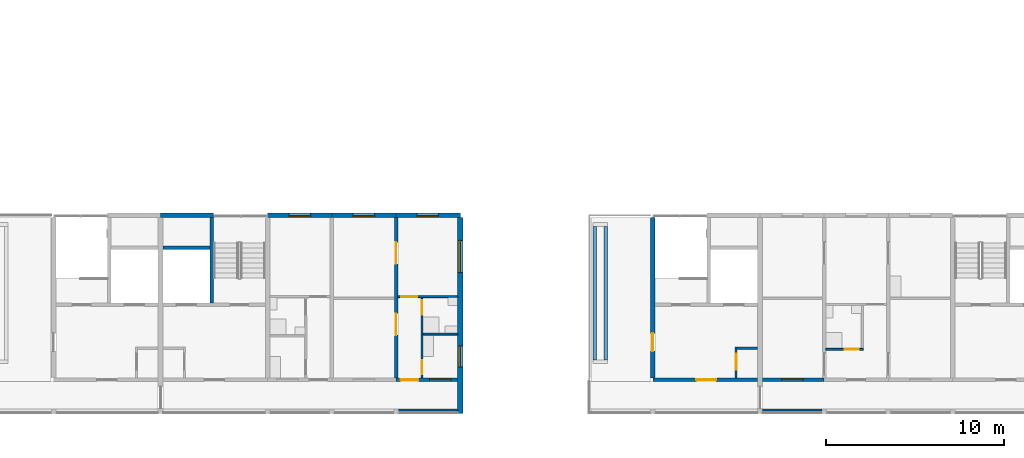
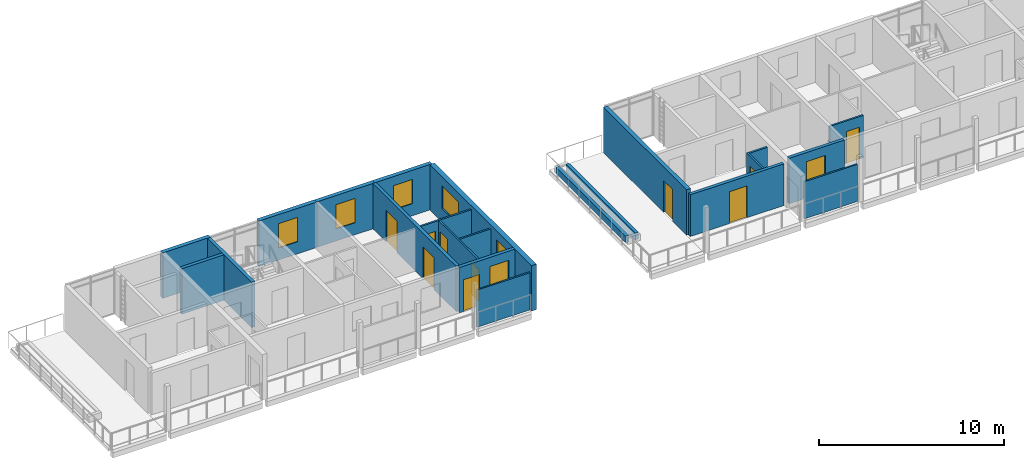
# One storey, part 28 of 55: 22 walls, 10 doors, 7 windows, 17 openings.
"""IFC4 building model written with IfcOpenShell, lengths in metres."""

from ifc_helpers import new_model, si_unit, direction, frame, frame_2d, origin, place, context, subcontext, project, spatial, rectangle, extrude, material, layer, layer_set, type_object, element, fill, save


model = new_model("IFC4")

# Units and contexts
model_context = context("Model", 3, precision=1e-05, world=origin(), true_north=direction((0.0, 1.0)))
body_context = subcontext(model_context, "Body", "Model", "MODEL_VIEW")
ifc_project = project(units=[si_unit("LENGTHUNIT", "METRE"), si_unit("AREAUNIT", "SQUARE_METRE"), si_unit("VOLUMEUNIT", "CUBIC_METRE"), si_unit("PLANEANGLEUNIT", "RADIAN"), si_unit("MASSUNIT", "GRAM", prefix="KILO")], contexts=[model_context])

# Site, building, storey
site_placement = place(None, origin())
site = spatial("IfcSite", under=ifc_project, at=site_placement, CompositionType="ELEMENT")
building_placement = place(site_placement, origin())
building = spatial("IfcBuilding", under=site, at=building_placement, Name="Ridgestep Commons", CompositionType="ELEMENT")
storey_placement = place(building_placement, frame((0.0, 0.0, 36.0)))
storey = spatial("IfcBuildingStorey", under=building, at=storey_placement, Name="L12", CompositionType="ELEMENT", Elevation=36.0)

# Wall, opening, door
ifc_material_1 = material(Name="Concrete C30/37", Category="concrete")
ifc_layer_1 = layer(ifc_material_1, 0.199951171875)
ifc_layer_set_1 = layer_set([ifc_layer_1], Name="Core south wall 200")
wall_type_1 = type_object("IfcWallType", Name="Core south wall 200", PredefinedType="SHEAR", material=ifc_layer_set_1)
wall_1_placement = place(storey_placement, frame((73.199951171875, 13.64990234375, 0.0), z_axis=(0.0, 0.0, 1.0), x_axis=(1.0, 0.0, 0.0)))
wall_1 = element("IfcWall", 1, at=wall_1_placement, inside=storey, type_object=wall_type_1, Name="Core south wall A4C L12", PredefinedType="SHEAR", context=body_context, shape_type="SweptSolid", body=[
    extrude(rectangle(XDim=5.85009765625, YDim=0.199951171875, at=frame_2d((2.925048828125, 0.0))), origin(), (0.0, 0.0, 1.0), 2.75),
])
opening_1_placement = place(wall_1_placement, frame((2.4375, 0.0, 0.0)))
opening_1 = element("IfcOpeningElement", 2, at=opening_1_placement, cuts=wall_1, Name="Opening A4C/12/1", PredefinedType="OPENING", context=body_context, shape_type="SweptSolid", body=[
    extrude(rectangle(XDim=1.10009765625, YDim=2.10009765625, at=frame_2d((0.550048828125, 1.050048828125))), frame((0.0, 0.10986328125, 0.0), z_axis=(0.0, -1.0, 0.0), x_axis=(1.0, 0.0, 0.0)), (0.0, 0.0, 1.0), 0.219970703125),
])
ifc_material_2 = material(Name="Steel fire door", Category="steel")
door_type_1 = type_object("IfcDoorType", Name="Lobby door 1100 x 2100 FD60", OperationType="NOTDEFINED", PredefinedType="DOOR", material=ifc_material_2)
door_1_placement = place(opening_1_placement, origin())
door_1 = element("IfcDoor", 3, at=door_1_placement, inside=storey, type_object=door_type_1, Name="Lobby door A4C/12/1", OperationType="SINGLE_SWING_LEFT", OverallHeight=2.10009765625, OverallWidth=1.10009765625, PredefinedType="DOOR", context=body_context, shape_type="SweptSolid", body=[
    extrude(rectangle(XDim=1.10009765625, YDim=2.10009765625, at=frame_2d((0.550048828125, 1.050048828125))), frame((0.0, 0.02490234375, 0.0), z_axis=(0.0, -1.0, 0.0), x_axis=(1.0, 0.0, 0.0)), (0.0, 0.0, 1.0), 0.050048828125),
])
fill(opening_1, door_1)

ifc_material_3 = material(Name="Concrete C30/37", Category="concrete")
ifc_layer_2 = layer(ifc_material_3, 0.1201171875)
ifc_layer_set_2 = layer_set([ifc_layer_2], Name="Core wall 120")
wall_type_2 = type_object("IfcWallType", Name="Core wall 120", PredefinedType="SHEAR", material=ifc_layer_set_2)
wall_2_placement = place(storey_placement, frame((77.860107421875, 13.75, 0.0), z_axis=(0.0, 0.0, 1.0), x_axis=(0.0, 1.0, 0.0)))
wall_2 = element("IfcWall", 4, at=wall_2_placement, inside=storey, type_object=wall_type_2, Name="Core riser w wall A4C L12", PredefinedType="SHEAR", context=body_context, shape_type="SweptSolid", body=[
    extrude(rectangle(XDim=1.719970703125, YDim=0.1201171875, at=frame_2d((0.85986328125, 0.0))), origin(), (0.0, 0.0, 1.0), 2.75),
])
opening_2_placement = place(wall_2_placement, frame((0.449951171875, 0.0, 0.0)))
opening_2 = element("IfcOpeningElement", 5, at=opening_2_placement, cuts=wall_2, Name="Opening A4C/12/4", PredefinedType="OPENING", context=body_context, shape_type="SweptSolid", body=[
    extrude(rectangle(XDim=0.89990234375, YDim=2.10009765625, at=frame_2d((0.449951171875, 1.050048828125))), frame((0.0, 0.070068359375, 0.0), z_axis=(0.0, -1.0, 0.0), x_axis=(1.0, 0.0, 0.0)), (0.0, 0.0, 1.0), 0.14013671875),
])
ifc_material_4 = material(Name="Steel fire door", Category="steel")
door_type_2 = type_object("IfcDoorType", Name="Riser door 900 x 2100 FD60", OperationType="NOTDEFINED", PredefinedType="DOOR", material=ifc_material_4)
door_2_placement = place(opening_2_placement, origin())
door_2 = element("IfcDoor", 6, at=door_2_placement, inside=storey, type_object=door_type_2, Name="Riser door A4C/12/4", OperationType="SINGLE_SWING_LEFT", OverallHeight=2.10009765625, OverallWidth=0.89990234375, PredefinedType="DOOR", context=body_context, shape_type="SweptSolid", body=[
    extrude(rectangle(XDim=0.89990234375, YDim=2.10009765625, at=frame_2d((0.449951171875, 1.050048828125))), frame((0.0, 0.02490234375, 0.0), z_axis=(0.0, -1.0, 0.0), x_axis=(1.0, 0.0, 0.0)), (0.0, 0.0, 1.0), 0.050048828125),
])
fill(opening_2, door_2)

# Walls
wall_3_placement = place(storey_placement, frame((77.919921875, 15.409912109375, 0.0), z_axis=(0.0, 0.0, 1.0), x_axis=(1.0, 0.0, 0.0)))
element("IfcWall", 7, at=wall_3_placement, inside=storey, type_object=wall_type_2, Name="Core riser n wall A4C L12", PredefinedType="SHEAR", context=body_context, shape_type="SweptSolid", body=[
    extrude(rectangle(XDim=1.130126953125, YDim=0.1201171875, at=frame_2d((0.56494140625, 0.0))), origin(), (0.0, 0.0, 1.0), 2.75),
])
ifc_material_5 = material(Name="Concrete C30/37", Category="concrete")
ifc_layer_3 = layer(ifc_material_5, 0.199951171875)
ifc_layer_set_3 = layer_set([ifc_layer_3], Name="Core wall 200")
wall_type_3 = type_object("IfcWallType", Name="Core wall 200", PredefinedType="SHEAR", material=ifc_layer_set_3)
wall_4_placement = place(storey_placement, frame((48.47509765625, 17.949951171875, 0.0), z_axis=(0.0, 0.0, 1.0), x_axis=(0.0, 1.0, 0.0)))
element("IfcWall", 8, at=wall_4_placement, inside=storey, type_object=wall_type_3, Name="Core stair wall A3C L12", PredefinedType="SHEAR", context=body_context, shape_type="SweptSolid", body=[
    extrude(rectangle(XDim=4.800048828125, YDim=0.199951171875, at=frame_2d((2.39990234375, 0.0))), origin(), (0.0, 0.0, 1.0), 3.0),
])
wall_5_placement = place(storey_placement, frame((45.75, 21.050048828125, 0.0), z_axis=(0.0, 0.0, 1.0), x_axis=(1.0, 0.0, 0.0)))
element("IfcWall", 9, at=wall_5_placement, inside=storey, type_object=wall_type_3, Name="Core duct wall A3C L12", PredefinedType="SHEAR", context=body_context, shape_type="SweptSolid", body=[
    extrude(rectangle(XDim=2.625, YDim=0.199951171875, at=frame_2d((1.3125, 0.0))), origin(), (0.0, 0.0, 1.0), 3.0),
])

# Wall, openings, doors
ifc_material_6 = material(Name="Precast concrete C40/50", Category="concrete")
ifc_layer_4 = layer(ifc_material_6, 0.199951171875)
ifc_layer_set_4 = layer_set([ifc_layer_4], Name="Cross wall 200")
wall_type_4 = type_object("IfcWallType", Name="Cross wall 200", PredefinedType="SHEAR", material=ifc_layer_set_4)
wall_6_placement = place(storey_placement, frame((58.800048828125, 13.75, 0.0), z_axis=(0.0, 0.0, 1.0), x_axis=(0.0, 1.0, 0.0)))
wall_6 = element("IfcWall", 10, at=wall_6_placement, inside=storey, type_object=wall_type_4, Name="Cross wall A-12-0588", PredefinedType="SHEAR", context=body_context, shape_type="SweptSolid", body=[
    extrude(rectangle(XDim=9.0, YDim=0.199951171875, at=frame_2d((4.5, 0.0))), origin(), (0.0, 0.0, 1.0), 3.0),
])
opening_3_placement = place(wall_6_placement, frame((2.39990234375, 0.0, 0.0)))
opening_3 = element("IfcOpeningElement", 11, at=opening_3_placement, cuts=wall_6, Name="Opening A3-12a/5", PredefinedType="OPENING", context=body_context, shape_type="SweptSolid", body=[
    extrude(rectangle(XDim=1.199951171875, YDim=2.10009765625, at=frame_2d((0.60009765625, 1.050048828125))), frame((0.0, 0.10986328125, 0.0), z_axis=(0.0, -1.0, 0.0), x_axis=(1.0, 0.0, 0.0)), (0.0, 0.0, 1.0), 0.219970703125),
])
opening_4_placement = place(wall_6_placement, frame((6.39990234375, 0.0, 0.0)))
opening_4 = element("IfcOpeningElement", 12, at=opening_4_placement, cuts=wall_6, Name="Opening A3-12a/6", PredefinedType="OPENING", context=body_context, shape_type="SweptSolid", body=[
    extrude(rectangle(XDim=1.199951171875, YDim=2.10009765625, at=frame_2d((0.60009765625, 1.050048828125))), frame((0.0, 0.10986328125, 0.0), z_axis=(0.0, -1.0, 0.0), x_axis=(1.0, 0.0, 0.0)), (0.0, 0.0, 1.0), 0.219970703125),
])
ifc_material_7 = material(Name="Timber door leaf", Category="wood")
door_type_3 = type_object("IfcDoorType", Name="Double door 1200 x 2100", OperationType="DOUBLE_DOOR_SINGLE_SWING", PredefinedType="DOOR", material=ifc_material_7)
door_3_placement = place(opening_3_placement, origin())
door_3 = element("IfcDoor", 13, at=door_3_placement, inside=storey, type_object=door_type_3, Name="Double door A3-12a/5", OperationType="DOUBLE_DOOR_SINGLE_SWING", OverallHeight=2.10009765625, OverallWidth=1.199951171875, PredefinedType="DOOR", context=body_context, shape_type="SweptSolid", body=[
    extrude(rectangle(XDim=1.199951171875, YDim=2.10009765625, at=frame_2d((0.60009765625, 1.050048828125))), frame((0.0, 0.02490234375, 0.0), z_axis=(0.0, -1.0, 0.0), x_axis=(1.0, 0.0, 0.0)), (0.0, 0.0, 1.0), 0.050048828125),
])
fill(opening_3, door_3)
door_4_placement = place(opening_4_placement, origin())
door_4 = element("IfcDoor", 14, at=door_4_placement, inside=storey, type_object=door_type_3, Name="Double door A3-12a/6", OperationType="DOUBLE_DOOR_SINGLE_SWING", OverallHeight=2.10009765625, OverallWidth=1.199951171875, PredefinedType="DOOR", context=body_context, shape_type="SweptSolid", body=[
    extrude(rectangle(XDim=1.199951171875, YDim=2.10009765625, at=frame_2d((0.60009765625, 1.050048828125))), frame((0.0, 0.02490234375, 0.0), z_axis=(0.0, -1.0, 0.0), x_axis=(1.0, 0.0, 0.0)), (0.0, 0.0, 1.0), 0.050048828125),
])
fill(opening_4, door_4)

# Wall, opening, door
ifc_material_8 = material(Name="Concrete C30/37", Category="concrete")
ifc_layer_5 = layer(ifc_material_8, 0.25)
ifc_layer_set_5 = layer_set([ifc_layer_5], Name="Exposed core cross wall 250")
wall_type_5 = type_object("IfcWallType", Name="Exposed core cross wall 250", PredefinedType="SHEAR", material=ifc_layer_set_5)
wall_7_placement = place(storey_placement, frame((73.199951171875, 13.75, 0.0), z_axis=(0.0, 0.0, 1.0), x_axis=(0.0, 1.0, 0.0)))
wall_7 = element("IfcWall", 15, at=wall_7_placement, inside=storey, type_object=wall_type_5, Name="Cross wall A-12-0732", PredefinedType="SHEAR", context=body_context, shape_type="SweptSolid", body=[
    extrude(rectangle(XDim=9.0, YDim=0.25, at=frame_2d((4.5, 0.0))), origin(), (0.0, 0.0, 1.0), 3.0),
])
opening_5_placement = place(wall_7_placement, frame((1.5, 0.0, 0.0)))
opening_5 = element("IfcOpeningElement", 16, at=opening_5_placement, cuts=wall_7, Name="Opening A4C/12/T", PredefinedType="OPENING", context=body_context, shape_type="SweptSolid", body=[
    extrude(rectangle(XDim=1.0, YDim=2.10009765625, at=frame_2d((0.5, 1.050048828125))), frame((0.0, 0.135009765625, 0.0), z_axis=(0.0, -1.0, 0.0), x_axis=(1.0, 0.0, 0.0)), (0.0, 0.0, 1.0), 0.27001953125),
])
ifc_material_9 = material(Name="Aluminium and glass", Category="aluminium")
door_type_4 = type_object("IfcDoorType", Name="Terrace door 1000 x 2100 FD60", OperationType="NOTDEFINED", PredefinedType="DOOR", material=ifc_material_9)
door_5_placement = place(opening_5_placement, origin())
door_5 = element("IfcDoor", 17, at=door_5_placement, inside=storey, type_object=door_type_4, Name="Terrace door A4C/12/T", OperationType="SINGLE_SWING_LEFT", OverallHeight=2.10009765625, OverallWidth=1.0, PredefinedType="DOOR", context=body_context, shape_type="SweptSolid", body=[
    extrude(rectangle(XDim=1.0, YDim=2.10009765625, at=frame_2d((0.5, 1.050048828125))), frame((0.0, 0.02490234375, 0.0), z_axis=(0.0, -1.0, 0.0), x_axis=(1.0, 0.0, 0.0)), (0.0, 0.0, 1.0), 0.050048828125),
])
fill(opening_5, door_5)

# Wall, openings, windows
ifc_material_10 = material(Name="Precast concrete C40/50", Category="concrete")
ifc_layer_6 = layer(ifc_material_10, 0.300048828125)
ifc_layer_set_6 = layer_set([ifc_layer_6], Name="Exposed division wall 300")
wall_type_6 = type_object("IfcWallType", Name="Exposed division wall 300", PredefinedType="SHEAR", material=ifc_layer_set_6)
wall_8_placement = place(storey_placement, frame((62.39990234375, 11.75, 0.0), z_axis=(0.0, 0.0, 1.0), x_axis=(0.0, 1.0, 0.0)))
wall_8 = element("IfcWall", 18, at=wall_8_placement, inside=storey, type_object=wall_type_6, Name="Cross wall A-12-0624", PredefinedType="SHEAR", context=body_context, shape_type="SweptSolid", body=[
    extrude(rectangle(XDim=11.0, YDim=0.300048828125, at=frame_2d((5.5, 0.0))), origin(), (0.0, 0.0, 1.0), 3.0),
])
opening_6_placement = place(wall_8_placement, frame((2.60009765625, 0.0, 0.89990234375)))
opening_6 = element("IfcOpeningElement", 19, at=opening_6_placement, cuts=wall_8, Name="Opening W10", PredefinedType="OPENING", context=body_context, shape_type="SweptSolid", body=[
    extrude(rectangle(XDim=1.199951171875, YDim=1.5, at=frame_2d((0.60009765625, 0.75))), frame((0.0, 0.159912109375, 0.0), z_axis=(0.0, -1.0, 0.0), x_axis=(1.0, 0.0, 0.0)), (0.0, 0.0, 1.0), 0.320068359375),
])
opening_7_placement = place(wall_8_placement, frame((7.905029296875, 0.0, 0.89990234375)))
opening_7 = element("IfcOpeningElement", 20, at=opening_7_placement, cuts=wall_8, Name="Opening W20", PredefinedType="OPENING", context=body_context, shape_type="SweptSolid", body=[
    extrude(rectangle(XDim=1.800048828125, YDim=1.5, at=frame_2d((0.89990234375, 0.75))), frame((0.0, 0.159912109375, 0.0), z_axis=(0.0, -1.0, 0.0), x_axis=(1.0, 0.0, 0.0)), (0.0, 0.0, 1.0), 0.320068359375),
])
ifc_material_11 = material(Name="Aluminium 6063-T6 and glass", Category="aluminium")
window_type_1 = type_object("IfcWindowType", Name="Flat window 1200 x 1500", PartitioningType="SINGLE_PANEL", PredefinedType="WINDOW", material=ifc_material_11)
window_1_placement = place(opening_6_placement, origin())
window_1 = element("IfcWindow", 21, at=window_1_placement, inside=storey, type_object=window_type_1, Name="Window A3-12a 5", OverallHeight=1.5, OverallWidth=1.199951171875, PartitioningType="SINGLE_PANEL", PredefinedType="WINDOW", context=body_context, shape_type="SweptSolid", body=[
    extrude(rectangle(XDim=1.199951171875, YDim=1.5, at=frame_2d((0.60009765625, 0.75))), frame((0.0, 0.06005859375, 0.0), z_axis=(0.0, -1.0, 0.0), x_axis=(1.0, 0.0, 0.0)), (0.0, 0.0, 1.0), 0.06005859375),
])
fill(opening_6, window_1)
ifc_material_12 = material(Name="Aluminium 6063-T6 and glass", Category="aluminium")
window_type_2 = type_object("IfcWindowType", Name="Flat window 1800 x 1500", PartitioningType="DOUBLE_PANEL_VERTICAL", PredefinedType="WINDOW", material=ifc_material_12)
window_2_placement = place(opening_7_placement, origin())
window_2 = element("IfcWindow", 22, at=window_2_placement, inside=storey, type_object=window_type_2, Name="Window A3-12a 6", OverallHeight=1.5, OverallWidth=1.800048828125, PartitioningType="SINGLE_PANEL", PredefinedType="WINDOW", context=body_context, shape_type="SweptSolid", body=[
    extrude(rectangle(XDim=1.800048828125, YDim=1.5, at=frame_2d((0.89990234375, 0.75))), frame((0.0, 0.06005859375, 0.0), z_axis=(0.0, -1.0, 0.0), x_axis=(1.0, 0.0, 0.0)), (0.0, 0.0, 1.0), 0.06005859375),
])
fill(opening_7, window_2)

# Wall
ifc_material_13 = material(Name="Precast concrete C40/50", Category="concrete")
ifc_layer_7 = layer(ifc_material_13, 0.25)
ifc_layer_set_7 = layer_set([ifc_layer_7], Name="North facade panel 250")
wall_type_7 = type_object("IfcWallType", Name="North facade panel 250", PredefinedType="SOLIDWALL", material=ifc_layer_set_7)
wall_9_placement = place(storey_placement, frame((45.60009765625, 22.875, 0.0), z_axis=(0.0, 0.0, 1.0), x_axis=(1.0, 0.0, 0.0)))
element("IfcWall", 23, at=wall_9_placement, inside=storey, type_object=wall_type_7, Name="North panel A3C L12", PredefinedType="SOLIDWALL", context=body_context, shape_type="SweptSolid", body=[
    extrude(rectangle(XDim=2.974853515625, YDim=0.25, at=frame_2d((1.4873046875, 0.0))), origin(), (0.0, 0.0, 1.0), 3.0),
])

# Wall, opening, window
wall_10_placement = place(storey_placement, frame((51.60009765625, 22.875, 0.0), z_axis=(0.0, 0.0, 1.0), x_axis=(1.0, 0.0, 0.0)))
wall_10 = element("IfcWall", 24, at=wall_10_placement, inside=storey, type_object=wall_type_7, Name="North panel A3T3 L12", PredefinedType="SOLIDWALL", context=body_context, shape_type="SweptSolid", body=[
    extrude(rectangle(XDim=3.599853515625, YDim=0.25, at=frame_2d((1.7998046875, 0.0))), origin(), (0.0, 0.0, 1.0), 3.0),
])
opening_8_placement = place(wall_10_placement, frame((1.21240234375, 0.0, 0.800048828125)))
opening_8 = element("IfcOpeningElement", 25, at=opening_8_placement, cuts=wall_10, Name="Opening W11", PredefinedType="OPENING", context=body_context, shape_type="SweptSolid", body=[
    extrude(rectangle(XDim=1.199951171875, YDim=1.60009765625, at=frame_2d((0.60009765625, 0.800048828125))), frame((0.0, 0.135009765625, 0.0), z_axis=(0.0, -1.0, 0.0), x_axis=(1.0, 0.0, 0.0)), (0.0, 0.0, 1.0), 0.27001953125),
])
ifc_material_14 = material(Name="Aluminium 6063-T6 and glass", Category="aluminium")
window_type_3 = type_object("IfcWindowType", Name="Flat window 1200 x 1600", PartitioningType="SINGLE_PANEL", PredefinedType="WINDOW", material=ifc_material_14)
window_3_placement = place(opening_8_placement, origin())
window_3 = element("IfcWindow", 26, at=window_3_placement, inside=storey, type_object=window_type_3, Name="Window A3-12b 2", OverallHeight=1.60009765625, OverallWidth=1.199951171875, PartitioningType="SINGLE_PANEL", PredefinedType="WINDOW", context=body_context, shape_type="SweptSolid", body=[
    extrude(rectangle(XDim=1.199951171875, YDim=1.60009765625, at=frame_2d((0.60009765625, 0.800048828125))), frame((0.0, -0.02490234375, 0.0), z_axis=(0.0, -1.0, 0.0), x_axis=(1.0, 0.0, 0.0)), (0.0, 0.0, 1.0), 0.06005859375),
])
fill(opening_8, window_3)

wall_11_placement = place(storey_placement, frame((55.199951171875, 22.875, 0.0), z_axis=(0.0, 0.0, 1.0), x_axis=(1.0, 0.0, 0.0)))
wall_11 = element("IfcWall", 27, at=wall_11_placement, inside=storey, type_object=wall_type_7, Name="North panel A3T2 L12", PredefinedType="SOLIDWALL", context=body_context, shape_type="SweptSolid", body=[
    extrude(rectangle(XDim=3.60009765625, YDim=0.25, at=frame_2d((1.800048828125, 0.0))), origin(), (0.0, 0.0, 1.0), 3.0),
])
opening_9_placement = place(wall_11_placement, frame((1.199951171875, 0.0, 0.800048828125)))
opening_9 = element("IfcOpeningElement", 28, at=opening_9_placement, cuts=wall_11, Name="Opening W11", PredefinedType="OPENING", context=body_context, shape_type="SweptSolid", body=[
    extrude(rectangle(XDim=1.199951171875, YDim=1.60009765625, at=frame_2d((0.60009765625, 0.800048828125))), frame((0.0, 0.135009765625, 0.0), z_axis=(0.0, -1.0, 0.0), x_axis=(1.0, 0.0, 0.0)), (0.0, 0.0, 1.0), 0.27001953125),
])
window_4_placement = place(opening_9_placement, origin())
window_4 = element("IfcWindow", 29, at=window_4_placement, inside=storey, type_object=window_type_3, Name="Window A3-12a 2", OverallHeight=1.60009765625, OverallWidth=1.199951171875, PartitioningType="SINGLE_PANEL", PredefinedType="WINDOW", context=body_context, shape_type="SweptSolid", body=[
    extrude(rectangle(XDim=1.199951171875, YDim=1.60009765625, at=frame_2d((0.60009765625, 0.800048828125))), frame((0.0, -0.02490234375, 0.0), z_axis=(0.0, -1.0, 0.0), x_axis=(1.0, 0.0, 0.0)), (0.0, 0.0, 1.0), 0.06005859375),
])
fill(opening_9, window_4)

wall_12_placement = place(storey_placement, frame((58.800048828125, 22.875, 0.0), z_axis=(0.0, 0.0, 1.0), x_axis=(1.0, 0.0, 0.0)))
wall_12 = element("IfcWall", 30, at=wall_12_placement, inside=storey, type_object=wall_type_7, Name="North panel A3T1 L12", PredefinedType="SOLIDWALL", context=body_context, shape_type="SweptSolid", body=[
    extrude(rectangle(XDim=3.599853515625, YDim=0.25, at=frame_2d((1.7998046875, 0.0))), origin(), (0.0, 0.0, 1.0), 3.0),
])
opening_10_placement = place(wall_12_placement, frame((1.175048828125, 0.0, 0.800048828125)))
opening_10 = element("IfcOpeningElement", 31, at=opening_10_placement, cuts=wall_12, Name="Opening W11", PredefinedType="OPENING", context=body_context, shape_type="SweptSolid", body=[
    extrude(rectangle(XDim=1.199951171875, YDim=1.60009765625, at=frame_2d((0.60009765625, 0.800048828125))), frame((0.0, 0.135009765625, 0.0), z_axis=(0.0, -1.0, 0.0), x_axis=(1.0, 0.0, 0.0)), (0.0, 0.0, 1.0), 0.27001953125),
])
window_5_placement = place(opening_10_placement, origin())
window_5 = element("IfcWindow", 32, at=window_5_placement, inside=storey, type_object=window_type_3, Name="Window A3-12a 4", OverallHeight=1.60009765625, OverallWidth=1.199951171875, PartitioningType="SINGLE_PANEL", PredefinedType="WINDOW", context=body_context, shape_type="SweptSolid", body=[
    extrude(rectangle(XDim=1.199951171875, YDim=1.60009765625, at=frame_2d((0.60009765625, 0.800048828125))), frame((0.0, -0.02490234375, 0.0), z_axis=(0.0, -1.0, 0.0), x_axis=(1.0, 0.0, 0.0)), (0.0, 0.0, 1.0), 0.06005859375),
])
fill(opening_10, window_5)

# Wall, openings, doors
ifc_material_15 = material(Name="Common brick 110 mm", Category="masonry")
ifc_layer_8 = layer(ifc_material_15, 0.110107421875)
ifc_layer_set_8 = layer_set([ifc_layer_8], Name="Partition 110")
wall_type_8 = type_object("IfcWallType", Name="Partition 110", PredefinedType="PARTITIONING", material=ifc_layer_set_8)
wall_13_placement = place(storey_placement, frame((60.2548828125, 13.75, 0.0), z_axis=(0.0, 0.0, 1.0), x_axis=(0.0, 1.0, 0.0)))
wall_13 = element("IfcWall", 33, at=wall_13_placement, inside=storey, type_object=wall_type_8, Name="Partition A3-12a", PredefinedType="PARTITIONING", context=body_context, shape_type="SweptSolid", body=[
    extrude(rectangle(XDim=4.5, YDim=0.110107421875, at=frame_2d((2.25, 0.0))), origin(), (0.0, 0.0, 1.0), 2.75),
])
opening_11_placement = place(wall_13_placement, frame((0.199951171875, 0.0, 0.0)))
opening_11 = element("IfcOpeningElement", 34, at=opening_11_placement, cuts=wall_13, Name="Opening A3-12a/2", PredefinedType="OPENING", context=body_context, shape_type="SweptSolid", body=[
    extrude(rectangle(XDim=0.800048828125, YDim=2.10009765625, at=frame_2d((0.39990234375, 1.050048828125))), frame((0.0, 0.06494140625, 0.0), z_axis=(0.0, -1.0, 0.0), x_axis=(1.0, 0.0, 0.0)), (0.0, 0.0, 1.0), 0.130126953125),
])
opening_12_placement = place(wall_13_placement, frame((3.550048828125, 0.0, 0.0)))
opening_12 = element("IfcOpeningElement", 35, at=opening_12_placement, cuts=wall_13, Name="Opening A3-12a/3", PredefinedType="OPENING", context=body_context, shape_type="SweptSolid", body=[
    extrude(rectangle(XDim=0.800048828125, YDim=2.10009765625, at=frame_2d((0.39990234375, 1.050048828125))), frame((0.0, 0.06494140625, 0.0), z_axis=(0.0, -1.0, 0.0), x_axis=(1.0, 0.0, 0.0)), (0.0, 0.0, 1.0), 0.130126953125),
])
ifc_material_16 = material(Name="Timber door leaf", Category="wood")
door_type_5 = type_object("IfcDoorType", Name="Internal door 800 x 2100", OperationType="NOTDEFINED", PredefinedType="DOOR", material=ifc_material_16)
door_6_placement = place(opening_11_placement, origin())
door_6 = element("IfcDoor", 36, at=door_6_placement, inside=storey, type_object=door_type_5, Name="Internal door A3-12a/2", OperationType="SINGLE_SWING_RIGHT", OverallHeight=2.10009765625, OverallWidth=0.800048828125, PredefinedType="DOOR", context=body_context, shape_type="SweptSolid", body=[
    extrude(rectangle(XDim=0.800048828125, YDim=2.10009765625, at=frame_2d((0.39990234375, 1.050048828125))), frame((0.0, 0.02490234375, 0.0), z_axis=(0.0, -1.0, 0.0), x_axis=(1.0, 0.0, 0.0)), (0.0, 0.0, 1.0), 0.050048828125),
])
fill(opening_11, door_6)
door_7_placement = place(opening_12_placement, origin())
door_7 = element("IfcDoor", 37, at=door_7_placement, inside=storey, type_object=door_type_5, Name="Internal door A3-12a/3", OperationType="SINGLE_SWING_LEFT", OverallHeight=2.10009765625, OverallWidth=0.800048828125, PredefinedType="DOOR", context=body_context, shape_type="SweptSolid", body=[
    extrude(rectangle(XDim=0.800048828125, YDim=2.10009765625, at=frame_2d((0.39990234375, 1.050048828125))), frame((0.0, 0.02490234375, 0.0), z_axis=(0.0, -1.0, 0.0), x_axis=(1.0, 0.0, 0.0)), (0.0, 0.0, 1.0), 0.050048828125),
])
fill(opening_12, door_7)

# Wall
wall_14_placement = place(storey_placement, frame((60.31005859375, 16.205078125, 0.0), z_axis=(0.0, 0.0, 1.0), x_axis=(1.0, 0.0, 0.0)))
element("IfcWall", 38, at=wall_14_placement, inside=storey, type_object=wall_type_8, Name="Partition A3-12a", PredefinedType="PARTITIONING", context=body_context, shape_type="SweptSolid", body=[
    extrude(rectangle(XDim=1.93994140625, YDim=0.110107421875, at=frame_2d((0.969970703125, 0.0))), origin(), (0.0, 0.0, 1.0), 2.75),
])

# Wall, opening, door
wall_15_placement = place(storey_placement, frame((58.89990234375, 18.304931640625, 0.0), z_axis=(0.0, 0.0, 1.0), x_axis=(1.0, 0.0, 0.0)))
wall_15 = element("IfcWall", 39, at=wall_15_placement, inside=storey, type_object=wall_type_8, Name="Partition A3-12a", PredefinedType="PARTITIONING", context=body_context, shape_type="SweptSolid", body=[
    extrude(rectangle(XDim=3.35009765625, YDim=0.110107421875, at=frame_2d((1.675048828125, 0.0))), origin(), (0.0, 0.0, 1.0), 2.75),
])
opening_13_placement = place(wall_15_placement, frame((0.199951171875, 0.0, 0.0)))
opening_13 = element("IfcOpeningElement", 40, at=opening_13_placement, cuts=wall_15, Name="Opening A3-12a/4", PredefinedType="OPENING", context=body_context, shape_type="SweptSolid", body=[
    extrude(rectangle(XDim=0.89990234375, YDim=2.10009765625, at=frame_2d((0.449951171875, 1.050048828125))), frame((0.0, 0.06494140625, 0.0), z_axis=(0.0, -1.0, 0.0), x_axis=(1.0, 0.0, 0.0)), (0.0, 0.0, 1.0), 0.130126953125),
])
ifc_material_17 = material(Name="Timber door leaf", Category="wood")
door_type_6 = type_object("IfcDoorType", Name="Internal door 900 x 2100", OperationType="NOTDEFINED", PredefinedType="DOOR", material=ifc_material_17)
door_8_placement = place(opening_13_placement, origin())
door_8 = element("IfcDoor", 41, at=door_8_placement, inside=storey, type_object=door_type_6, Name="Internal door A3-12a/4", OperationType="SINGLE_SWING_LEFT", OverallHeight=2.10009765625, OverallWidth=0.89990234375, PredefinedType="DOOR", context=body_context, shape_type="SweptSolid", body=[
    extrude(rectangle(XDim=0.89990234375, YDim=2.10009765625, at=frame_2d((0.449951171875, 1.050048828125))), frame((0.0, 0.02490234375, 0.0), z_axis=(0.0, -1.0, 0.0), x_axis=(1.0, 0.0, 0.0)), (0.0, 0.0, 1.0), 0.050048828125),
])
fill(opening_13, door_8)

wall_16_placement = place(storey_placement, frame((82.89990234375, 15.35498046875, 0.0), z_axis=(0.0, 0.0, 1.0), x_axis=(1.0, 0.0, 0.0)))
wall_16 = element("IfcWall", 42, at=wall_16_placement, inside=storey, type_object=wall_type_8, Name="Partition A5-12a", PredefinedType="PARTITIONING", context=body_context, shape_type="SweptSolid", body=[
    extrude(rectangle(XDim=2.10009765625, YDim=0.110107421875, at=frame_2d((1.050048828125, 0.0))), origin(), (0.0, 0.0, 1.0), 2.800048828125),
])
opening_14_placement = place(wall_16_placement, frame((1.0400390625, 0.0, 0.0)))
opening_14 = element("IfcOpeningElement", 43, at=opening_14_placement, cuts=wall_16, Name="Opening A5-12a/2", PredefinedType="OPENING", context=body_context, shape_type="SweptSolid", body=[
    extrude(rectangle(XDim=0.800048828125, YDim=2.10009765625, at=frame_2d((0.39990234375, 1.050048828125))), frame((0.0, 0.06494140625, 0.0), z_axis=(0.0, -1.0, 0.0), x_axis=(1.0, 0.0, 0.0)), (0.0, 0.0, 1.0), 0.130126953125),
])
door_9_placement = place(opening_14_placement, origin())
door_9 = element("IfcDoor", 44, at=door_9_placement, inside=storey, type_object=door_type_5, Name="Internal door A5-12a/2", OperationType="SINGLE_SWING_RIGHT", OverallHeight=2.10009765625, OverallWidth=0.800048828125, PredefinedType="DOOR", context=body_context, shape_type="SweptSolid", body=[
    extrude(rectangle(XDim=0.800048828125, YDim=2.10009765625, at=frame_2d((0.39990234375, 1.050048828125))), frame((0.0, 0.02490234375, 0.0), z_axis=(0.0, -1.0, 0.0), x_axis=(1.0, 0.0, 0.0)), (0.0, 0.0, 1.0), 0.050048828125),
])
fill(opening_14, door_9)

# Walls
ifc_material_18 = material(Name="Precast concrete C30/37", Category="concrete")
ifc_layer_9 = layer(ifc_material_18, 0.10009765625)
ifc_layer_set_9 = layer_set([ifc_layer_9], Name="Perforated gallery screen 3325 x 2450 x 100")
wall_type_9 = type_object("IfcWallType", Name="Perforated gallery screen 3325 x 2450 x 100", PredefinedType="SOLIDWALL", material=ifc_layer_set_9)
for number, where, z_axis, x_axis, name in (
    (45, (58.925048828125, 11.949951171875, 0.0), (0.0, 0.0, 1.0), (1.0, 0.0, 0.0), "Gallery screen A3T1 12"),
    (46, (79.35009765625, 11.949951171875, 0.0), (0.0, 0.0, 1.0), (1.0, 0.0, 0.0), "Gallery screen A5T1 12"),
):
    element("IfcWall", number, at=place(storey_placement, frame(where, z_axis=z_axis, x_axis=x_axis)), inside=storey, type_object=wall_type_9, Name=name, PredefinedType="SOLIDWALL", context=body_context, shape_type="SweptSolid", body=[
        extrude(rectangle(XDim=3.324951171875, YDim=0.10009765625, at=frame_2d((1.66259765625, 0.0))), origin(), (0.0, 0.0, 1.0), 2.449951171875),
    ])
ifc_material_19 = material(Name="Facing brick", Category="masonry")
ifc_layer_10 = layer(ifc_material_19, 0.199951171875)
ifc_layer_set_10 = layer_set([ifc_layer_10], Name="Planter wall 200")
wall_type_10 = type_object("IfcWallType", Name="Planter wall 200", PredefinedType="SOLIDWALL", material=ifc_layer_set_10)
for number, where, z_axis, x_axis, name in (
    (47, (69.949951171875, 14.75, 0.010009765625), (0.0, 0.0, 1.0), (0.0, 1.0, 0.0), "Planter wall A4R3W"),
    (48, (70.550048828125, 14.75, 0.010009765625), (0.0, 0.0, 1.0), (0.0, 1.0, 0.0), "Planter wall A4R3E"),
):
    element("IfcWall", number, at=place(storey_placement, frame(where, z_axis=z_axis, x_axis=x_axis)), inside=storey, type_object=wall_type_10, Name=name, PredefinedType="SOLIDWALL", context=body_context, shape_type="SweptSolid", body=[
        extrude(rectangle(XDim=7.5, YDim=0.199951171875, at=frame_2d((3.75, 0.0))), origin(), (0.0, 0.0, 1.0), 0.449951171875),
    ])

# Wall, openings, door, window
ifc_material_20 = material(Name="Precast concrete C40/50", Category="concrete")
ifc_layer_11 = layer(ifc_material_20, 0.199951171875)
ifc_layer_set_11 = layer_set([ifc_layer_11], Name="South facade panel 200")
wall_type_11 = type_object("IfcWallType", Name="South facade panel 200", PredefinedType="SOLIDWALL", material=ifc_layer_set_11)
wall_17_placement = place(storey_placement, frame((58.800048828125, 13.64990234375, 0.0), z_axis=(0.0, 0.0, 1.0), x_axis=(1.0, 0.0, 0.0)))
wall_17 = element("IfcWall", 49, at=wall_17_placement, inside=storey, type_object=wall_type_11, Name="South panel A3T1 L12", PredefinedType="SOLIDWALL", context=body_context, shape_type="SweptSolid", body=[
    extrude(rectangle(XDim=3.449951171875, YDim=0.199951171875, at=frame_2d((1.72509765625, 0.0))), origin(), (0.0, 0.0, 1.0), 3.0),
])
opening_15_placement = place(wall_17_placement, frame((1.8798828125, 0.0, 1.10009765625)))
opening_15 = element("IfcOpeningElement", 50, at=opening_15_placement, cuts=wall_17, Name="Opening W08", PredefinedType="OPENING", context=body_context, shape_type="SweptSolid", body=[
    extrude(rectangle(XDim=1.199951171875, YDim=1.300048828125, at=frame_2d((0.60009765625, 0.64990234375))), frame((0.0, 0.10986328125, 0.0), z_axis=(0.0, -1.0, 0.0), x_axis=(1.0, 0.0, 0.0)), (0.0, 0.0, 1.0), 0.219970703125),
])
opening_16_placement = place(wall_17_placement, frame((0.25, 0.0, 0.0)))
opening_16 = element("IfcOpeningElement", 51, at=opening_16_placement, cuts=wall_17, Name="Opening A3-12a/1", PredefinedType="OPENING", context=body_context, shape_type="SweptSolid", body=[
    extrude(rectangle(XDim=1.0, YDim=2.10009765625, at=frame_2d((0.5, 1.050048828125))), frame((0.0, 0.10986328125, 0.0), z_axis=(0.0, -1.0, 0.0), x_axis=(1.0, 0.0, 0.0)), (0.0, 0.0, 1.0), 0.219970703125),
])
ifc_material_21 = material(Name="Timber door leaf", Category="wood")
door_type_7 = type_object("IfcDoorType", Name="Flat entrance door 1000 x 2100 FD30S", OperationType="NOTDEFINED", PredefinedType="DOOR", material=ifc_material_21)
door_10_placement = place(opening_16_placement, origin())
door_10 = element("IfcDoor", 52, at=door_10_placement, inside=storey, type_object=door_type_7, Name="Flat entrance door A3-12a/1", OperationType="SINGLE_SWING_LEFT", OverallHeight=2.10009765625, OverallWidth=1.0, PredefinedType="DOOR", context=body_context, shape_type="SweptSolid", body=[
    extrude(rectangle(XDim=1.0, YDim=2.10009765625, at=frame_2d((0.5, 1.050048828125))), frame((0.0, 0.02490234375, 0.0), z_axis=(0.0, -1.0, 0.0), x_axis=(1.0, 0.0, 0.0)), (0.0, 0.0, 1.0), 0.050048828125),
])
fill(opening_16, door_10)
ifc_material_22 = material(Name="Aluminium 6063-T6 and glass", Category="aluminium")
window_type_4 = type_object("IfcWindowType", Name="Flat window 1200 x 1300", PartitioningType="SINGLE_PANEL", PredefinedType="WINDOW", material=ifc_material_22)
window_6_placement = place(opening_15_placement, origin())
window_6 = element("IfcWindow", 53, at=window_6_placement, inside=storey, type_object=window_type_4, Name="Window A3-12a 3", OverallHeight=1.300048828125, OverallWidth=1.199951171875, PartitioningType="SINGLE_PANEL", PredefinedType="WINDOW", context=body_context, shape_type="SweptSolid", body=[
    extrude(rectangle(XDim=1.199951171875, YDim=1.300048828125, at=frame_2d((0.60009765625, 0.64990234375))), frame((0.0, 0.06005859375, 0.0), z_axis=(0.0, -1.0, 0.0), x_axis=(1.0, 0.0, 0.0)), (0.0, 0.0, 1.0), 0.06005859375),
])
fill(opening_15, window_6)

# Wall, opening, window
wall_18_placement = place(storey_placement, frame((79.35009765625, 13.64990234375, 0.0), z_axis=(0.0, 0.0, 1.0), x_axis=(1.0, 0.0, 0.0)))
wall_18 = element("IfcWall", 54, at=wall_18_placement, inside=storey, type_object=wall_type_11, Name="South panel A5T1 L12", PredefinedType="SOLIDWALL", context=body_context, shape_type="SweptSolid", body=[
    extrude(rectangle(XDim=3.449951171875, YDim=0.199951171875, at=frame_2d((1.72509765625, 0.0))), origin(), (0.0, 0.0, 1.0), 3.0),
])
opening_17_placement = place(wall_18_placement, frame((1.074951171875, 0.0, 0.800048828125)))
opening_17 = element("IfcOpeningElement", 55, at=opening_17_placement, cuts=wall_18, Name="Opening W11", PredefinedType="OPENING", context=body_context, shape_type="SweptSolid", body=[
    extrude(rectangle(XDim=1.199951171875, YDim=1.60009765625, at=frame_2d((0.60009765625, 0.800048828125))), frame((0.0, 0.10986328125, 0.0), z_axis=(0.0, -1.0, 0.0), x_axis=(1.0, 0.0, 0.0)), (0.0, 0.0, 1.0), 0.219970703125),
])
window_7_placement = place(opening_17_placement, origin())
window_7 = element("IfcWindow", 56, at=window_7_placement, inside=storey, type_object=window_type_3, Name="Window A5-12a 1", OverallHeight=1.60009765625, OverallWidth=1.199951171875, PartitioningType="SINGLE_PANEL", PredefinedType="WINDOW", context=body_context, shape_type="SweptSolid", body=[
    extrude(rectangle(XDim=1.199951171875, YDim=1.60009765625, at=frame_2d((0.60009765625, 0.800048828125))), frame((0.0, 0.06005859375, 0.0), z_axis=(0.0, -1.0, 0.0), x_axis=(1.0, 0.0, 0.0)), (0.0, 0.0, 1.0), 0.06005859375),
])
fill(opening_17, window_7)

save(model, "model.ifc")
